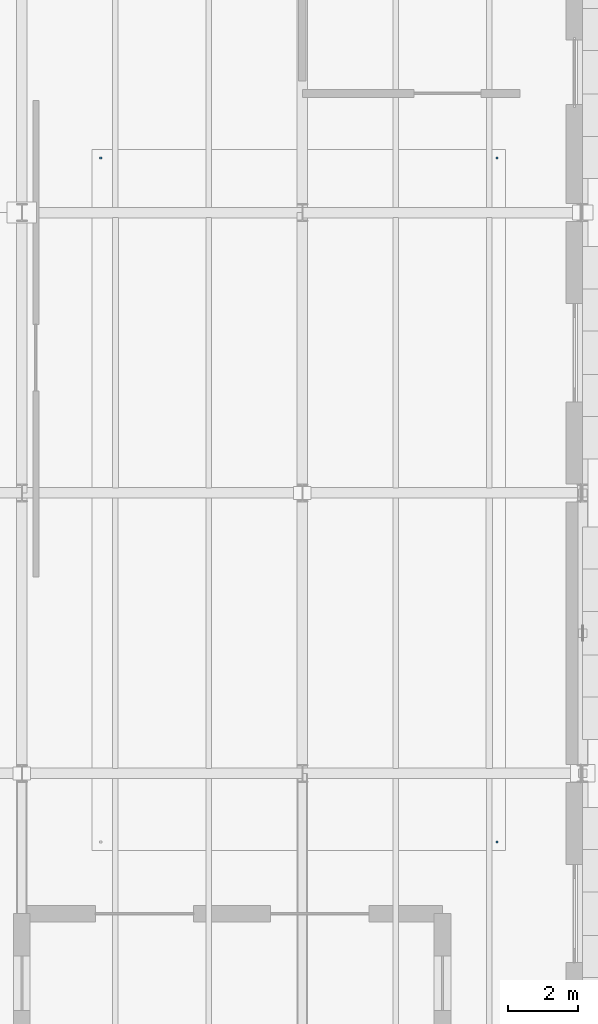
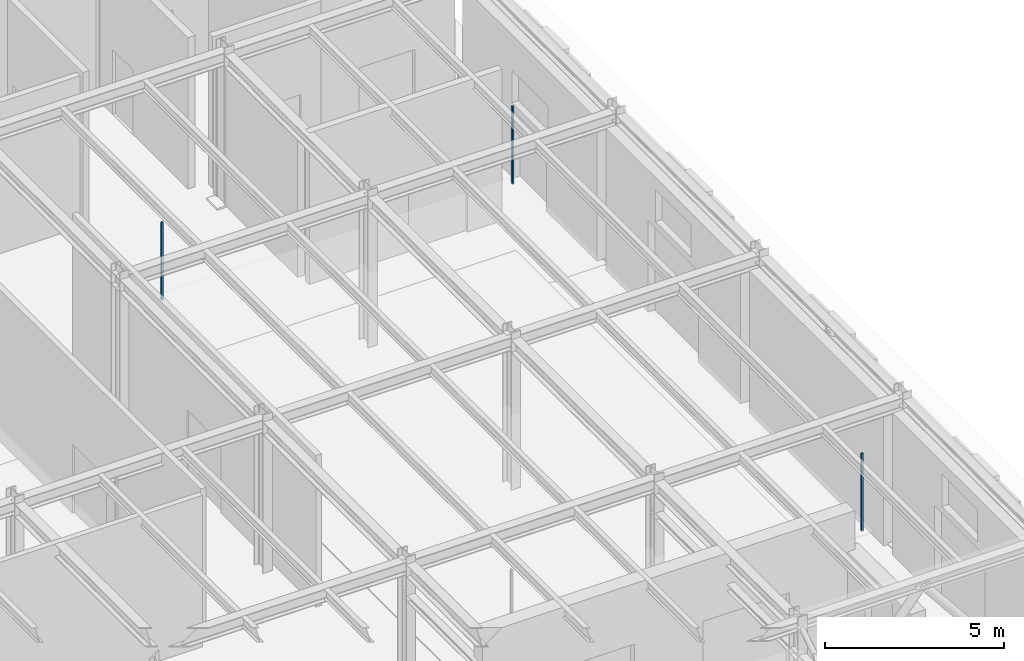
# One storey, part 100 of 129: 3 discrete accessories.
"""IFC4 building model written with IfcOpenShell, lengths in metres."""

from ifc_helpers import new_model, si_unit, direction, frame, origin, origin_2d, place, context, subcontext, project, spatial, rectangle, extrude, material, type_object, element, save


model = new_model("IFC4")

# Units and contexts
model_context = context("Model", 3, precision=1e-05, world=origin(), true_north=direction((0.0, 1.0)))
body_context = subcontext(model_context, "Body", "Model", "MODEL_VIEW")
ifc_project = project(units=[si_unit("LENGTHUNIT", "METRE"), si_unit("AREAUNIT", "SQUARE_METRE"), si_unit("VOLUMEUNIT", "CUBIC_METRE"), si_unit("PLANEANGLEUNIT", "RADIAN"), si_unit("MASSUNIT", "GRAM", prefix="KILO")], contexts=[model_context])

# Site, building, storey
site_placement = place(None, origin())
site = spatial("IfcSite", under=ifc_project, at=site_placement, CompositionType="ELEMENT")
building_placement = place(site_placement, origin())
building = spatial("IfcBuilding", under=site, at=building_placement, Name="Sundkrona Museum", CompositionType="ELEMENT")
storey_placement = place(building_placement, origin())
storey = spatial("IfcBuildingStorey", under=building, at=storey_placement, Name="L00", CompositionType="ELEMENT", Elevation=0.0)

# Discrete accessories
ifc_material = material(Name="Stainless Steel EN 1.4404 Cleat", Category="steel")
discrete_accessory_type = type_object("IfcDiscreteAccessoryType", Name="BRK-FIN-01", PredefinedType="BRACKET", material=ifc_material)
for number, where, z_axis, x_axis, name in (
    (1, (165.550048828125, 6.050048828125, 2.55029296875), (0.0, 0.0, 1.0), (1.0, 0.0, 0.0), "L00 Earth Sciences Exhibition Hall Ceiling Hanger 2"),
    (2, (165.550048828125, 25.550048828125, 2.55029296875), (0.0, 0.0, 1.0), (1.0, 0.0, 0.0), "L00 Earth Sciences Exhibition Hall Ceiling Hanger 3"),
    (3, (154.25, 25.550048828125, 2.55029296875), (0.0, 0.0, 1.0), (1.0, 0.0, 0.0), "L00 Earth Sciences Exhibition Hall Ceiling Hanger 4"),
):
    element("IfcDiscreteAccessory", number, at=place(storey_placement, frame(where, z_axis=z_axis, x_axis=x_axis)), inside=storey, type_object=discrete_accessory_type, Name=name, PredefinedType="BRACKET", context=body_context, shape_type="SweptSolid", body=[
        extrude(rectangle(XDim=0.06005859375, YDim=0.06005859375, at=origin_2d()), origin(), (0.0, 0.0, 1.0), 2.639892578125),
    ])

save(model, "model.ifc")
